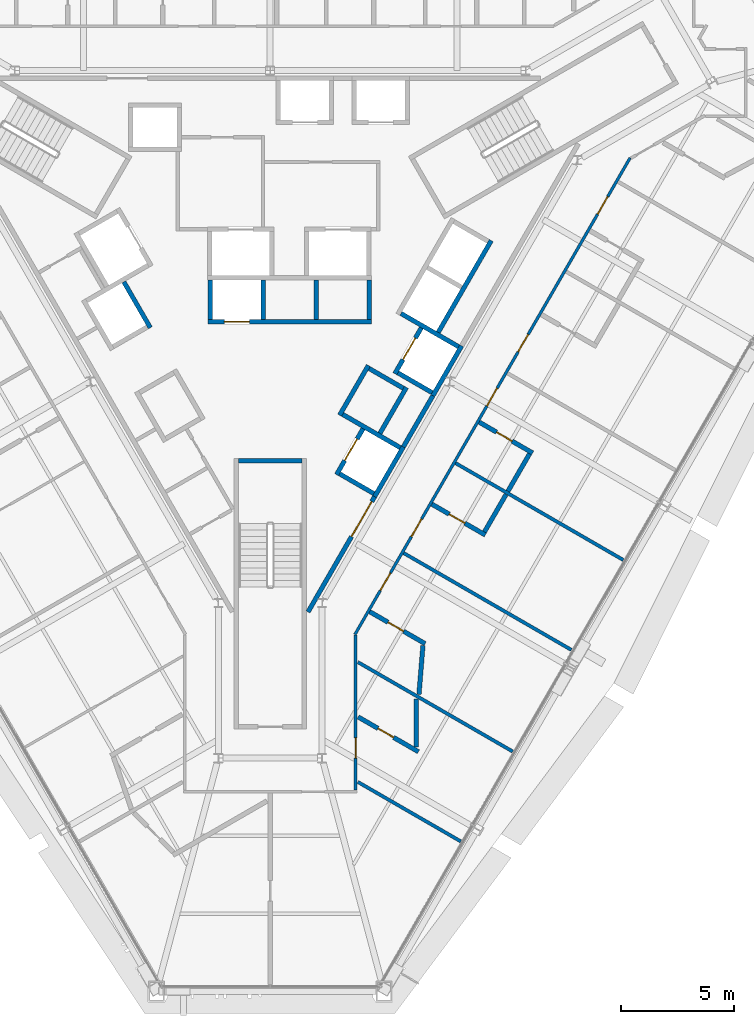
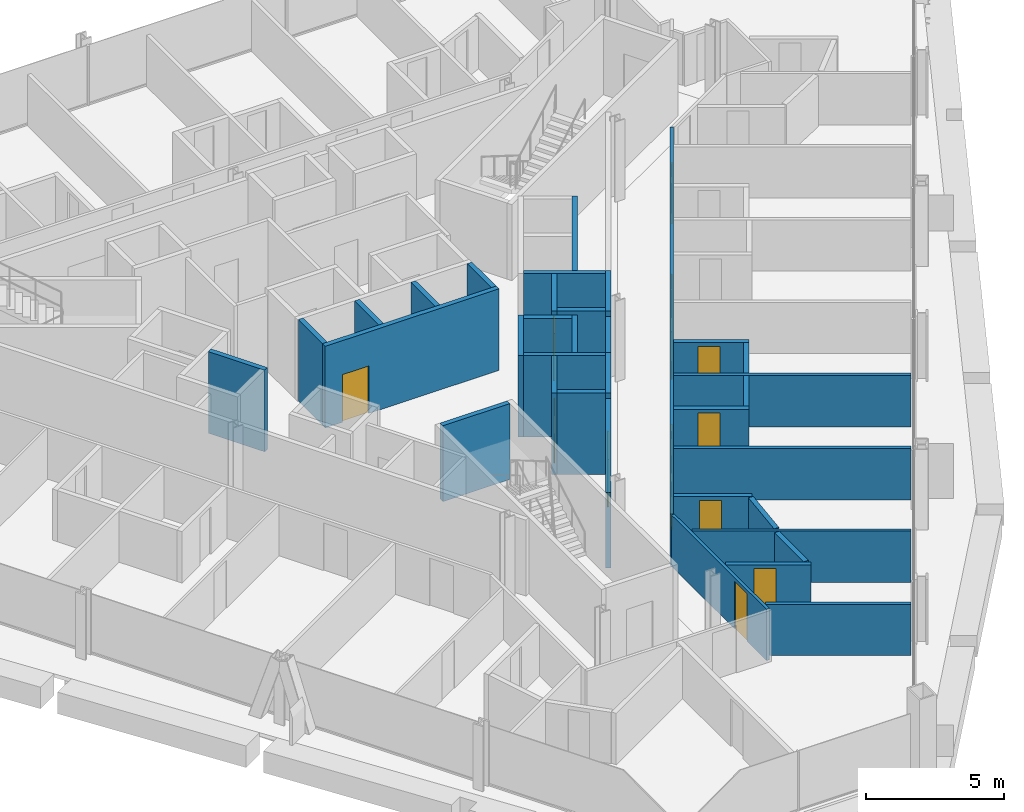
# One storey, part 11 of 17: 35 walls, 14 doors, 14 openings.
"""IFC4 building model written with IfcOpenShell, lengths in metres."""

from ifc_helpers import new_model, si_unit, direction, frame, frame_2d, origin, place, context, subcontext, project, spatial, rectangle, extrude, material, layer, layer_set, type_object, element, fill, save


model = new_model("IFC4")

# Units and contexts
model_context = context("Model", 3, precision=1e-05, world=origin(), true_north=direction((0.0, 1.0)))
body_context = subcontext(model_context, "Body", "Model", "MODEL_VIEW")
ifc_project = project(units=[si_unit("LENGTHUNIT", "METRE"), si_unit("AREAUNIT", "SQUARE_METRE"), si_unit("VOLUMEUNIT", "CUBIC_METRE"), si_unit("PLANEANGLEUNIT", "RADIAN"), si_unit("MASSUNIT", "GRAM", prefix="KILO")], contexts=[model_context])

# Site, building, storey
site_placement = place(None, origin())
site = spatial("IfcSite", under=ifc_project, at=site_placement, CompositionType="ELEMENT")
building_placement = place(site_placement, origin())
building = spatial("IfcBuilding", under=site, at=building_placement, Name="Verrane Prism Tower", CompositionType="ELEMENT")
storey_placement = place(building_placement, frame((0.0, 0.0, 139.60009765625)))
storey = spatial("IfcBuildingStorey", under=building, at=storey_placement, Name="L34", CompositionType="ELEMENT", Elevation=139.60009765625)

# Wall, opening, door
ifc_material_1 = material(Name="Gypsum board partition", Category="other")
ifc_layer_1 = layer(ifc_material_1, 0.199951171875)
ifc_layer_set_1 = layer_set([ifc_layer_1], Name="CW-200 core boundary wall 2 h")
wall_type_1 = type_object("IfcWallType", Name="CW-200 core boundary wall 2 h", PredefinedType="PARTITIONING", material=ifc_layer_set_1)
wall_1_placement = place(storey_placement, frame((1.677490234375, -14.814697265625, 0.0), z_axis=(0.0, 0.0, 1.0), x_axis=(0.49999445743, 0.866028603765, 0.0)))
wall_1 = element("IfcWall", 1, at=wall_1_placement, inside=storey, type_object=wall_type_1, Name="Core boundary wall CW3-010", PredefinedType="PARTITIONING", context=body_context, shape_type="SweptSolid", body=[
    extrude(rectangle(XDim=5.90478515625, YDim=0.199951171875, at=frame_2d((2.952392578125, 0.0))), origin(), (0.0, 0.0, 1.0), 3.349853515625),
])
opening_1_placement = place(wall_1_placement, frame((3.85498046875, 0.0, 0.0)))
opening_1 = element("IfcOpeningElement", 2, at=opening_1_placement, cuts=wall_1, Name="Opening D32525", PredefinedType="OPENING", context=body_context, shape_type="SweptSolid", body=[
    extrude(rectangle(XDim=1.800048828125, YDim=2.10009765625, at=frame_2d((0.89990234375, 1.050048828125))), frame((0.0, 0.10986328125, 0.0), z_axis=(0.0, -1.0, 0.0), x_axis=(1.0, 0.0, 0.0)), (0.0, 0.0, 1.0), 0.219970703125),
])
ifc_material_2 = material(Name="Timber veneered door leaf", Category="wood")
door_type_1 = type_object("IfcDoorType", Name="DR-1800x2100 FD60 double leaf lift lobby", OperationType="NOTDEFINED", PredefinedType="DOOR", material=ifc_material_2)
door_1_placement = place(opening_1_placement, origin())
door_1 = element("IfcDoor", 3, at=door_1_placement, inside=storey, type_object=door_type_1, Name="Lift lobby door D32525", OperationType="DOUBLE_DOOR_SINGLE_SWING", OverallHeight=2.10009765625, OverallWidth=1.800048828125, PredefinedType="DOOR", context=body_context, shape_type="SweptSolid", body=[
    extrude(rectangle(XDim=1.800048828125, YDim=2.10009765625, at=frame_2d((0.89990234375, 1.050048828125))), frame((0.0, 0.02490234375, 0.0), z_axis=(0.0, -1.0, 0.0), x_axis=(1.0, 0.0, 0.0)), (0.0, 0.0, 1.0), 0.050048828125),
])
fill(opening_1, door_1)

# Walls
wall_2_placement = place(storey_placement, frame((5.906005859375, -7.489990234375, 0.0), z_axis=(0.0, 0.0, 1.0), x_axis=(0.500252727967, 0.865879442048, 0.0)))
element("IfcWall", 4, at=wall_2_placement, inside=storey, type_object=wall_type_1, Name="Core boundary wall CW3-012", PredefinedType="PARTITIONING", context=body_context, shape_type="SweptSolid", body=[
    extrude(rectangle(XDim=2.616943359375, YDim=0.199951171875, at=frame_2d((1.30859375, 0.0))), origin(), (0.0, 0.0, 1.0), 3.349853515625),
])
ifc_material_3 = material(Name="Concrete C40/50", Category="concrete")
ifc_layer_2 = layer(ifc_material_3, 0.199951171875)
ifc_layer_set_2 = layer_set([ifc_layer_2], Name="CW-200 stair core wall concrete C40/50 3 h")
wall_type_2 = type_object("IfcWallType", Name="CW-200 stair core wall concrete C40/50 3 h", PredefinedType="PARTITIONING", material=ifc_layer_set_2)
wall_3_placement = place(storey_placement, frame((-1.39990234375, -8.10009765625, 0.0), z_axis=(0.0, 0.0, 1.0), x_axis=(1.0, 0.0, 0.0)))
element("IfcWall", 5, at=wall_3_placement, inside=storey, type_object=wall_type_2, Name="Stair 3 enclosure wall", PredefinedType="PARTITIONING", context=body_context, shape_type="SweptSolid", body=[
    extrude(rectangle(XDim=2.7998046875, YDim=0.199951171875, at=frame_2d((1.39990234375, 0.0))), origin(), (0.0, 0.0, 1.0), 3.349853515625),
])

# Wall, opening, door
ifc_material_4 = material(Name="Gypsum board shaft wall assembly", Category="other")
ifc_layer_3 = layer(ifc_material_4, 0.199951171875)
ifc_layer_set_3 = layer_set([ifc_layer_3], Name="HW-200 lift shaft wall 2 h")
wall_type_3 = type_object("IfcWallType", Name="HW-200 lift shaft wall 2 h", PredefinedType="PARTITIONING", material=ifc_layer_set_3)
wall_4_placement = place(storey_placement, frame((-2.7548828125, -1.949951171875, 0.0), z_axis=(0.0, 0.0, 1.0), x_axis=(1.0, 0.0, 0.0)))
wall_4 = element("IfcWall", 6, at=wall_4_placement, inside=storey, type_object=wall_type_3, Name="Lift shaft wall", PredefinedType="PARTITIONING", context=body_context, shape_type="SweptSolid", body=[
    extrude(rectangle(XDim=7.25, YDim=0.199951171875, at=frame_2d((3.625, 0.0))), origin(), (0.0, 0.0, 1.0), 3.599853515625),
])
opening_2_placement = place(wall_4_placement, frame((0.72509765625, 0.0, 0.0)))
opening_2 = element("IfcOpeningElement", 7, at=opening_2_placement, cuts=wall_4, Name="Opening D32504", PredefinedType="OPENING", context=body_context, shape_type="SweptSolid", body=[
    extrude(rectangle(XDim=1.10009765625, YDim=2.10009765625, at=frame_2d((0.550048828125, 1.050048828125))), frame((0.0, 0.10986328125, 0.0), z_axis=(0.0, -1.0, 0.0), x_axis=(1.0, 0.0, 0.0)), (0.0, 0.0, 1.0), 0.219970703125),
])
ifc_material_5 = material(Name="Stainless steel sliding landing door", Category="steel")
door_type_2 = type_object("IfcDoorType", Name="LD-1100x2100 lift landing door FD90 sliding", OperationType="NOTDEFINED", PredefinedType="DOOR", material=ifc_material_5)
door_2_placement = place(opening_2_placement, origin())
door_2 = element("IfcDoor", 8, at=door_2_placement, inside=storey, type_object=door_type_2, Name="Bank A lift 2 landing door", OperationType="SLIDING_TO_RIGHT", OverallHeight=2.10009765625, OverallWidth=1.10009765625, PredefinedType="DOOR", context=body_context, shape_type="SweptSolid", body=[
    extrude(rectangle(XDim=1.10009765625, YDim=2.10009765625, at=frame_2d((0.550048828125, 1.050048828125))), frame((0.0, 0.02490234375, 0.0), z_axis=(0.0, -1.0, 0.0), x_axis=(1.0, 0.0, 0.0)), (0.0, 0.0, 1.0), 0.050048828125),
])
fill(opening_2, door_2)

# Walls
wall_5_placement = place(storey_placement, frame((4.63037109375, -9.69970703125, 0.0), z_axis=(0.0, 0.0, 1.0), x_axis=(0.500062241894, 0.865989465428, 0.0)))
element("IfcWall", 9, at=wall_5_placement, inside=storey, type_object=wall_type_3, Name="Lift shaft wall", PredefinedType="PARTITIONING", context=body_context, shape_type="SweptSolid", body=[
    extrude(rectangle(XDim=2.550048828125, YDim=0.199951171875, at=frame_2d((1.27490234375, 0.0))), origin(), (0.0, 0.0, 1.0), 3.599853515625),
])
wall_6_placement = place(storey_placement, frame((7.215576171875, -5.222412109375, 0.0), z_axis=(0.0, 0.0, 1.0), x_axis=(0.499990435942, 0.866030925526, 0.0)))
element("IfcWall", 10, at=wall_6_placement, inside=storey, type_object=wall_type_3, Name="Lift shaft wall", PredefinedType="PARTITIONING", context=body_context, shape_type="SweptSolid", body=[
    extrude(rectangle(XDim=2.5498046875, YDim=0.199951171875, at=frame_2d((1.27490234375, 0.0))), origin(), (0.0, 0.0, 1.0), 3.599853515625),
])
wall_7_placement = place(storey_placement, frame((4.8662109375, -6.891357421875, 0.0), z_axis=(0.0, 0.0, 1.0), x_axis=(0.500016218704, 0.866016039709, 0.0)))
element("IfcWall", 11, at=wall_7_placement, inside=storey, type_object=wall_type_3, Name="Lift shaft wall", PredefinedType="PARTITIONING", context=body_context, shape_type="SweptSolid", body=[
    extrude(rectangle(XDim=2.35009765625, YDim=0.199951171875, at=frame_2d((1.175048828125, 0.0))), origin(), (0.0, 0.0, 1.0), 3.599853515625),
])
wall_8_placement = place(storey_placement, frame((7.451171875, -2.4140625, 0.0), z_axis=(0.0, 0.0, 1.0), x_axis=(0.500016218704, 0.866016039709, 0.0)))
element("IfcWall", 12, at=wall_8_placement, inside=storey, type_object=wall_type_3, Name="Lift shaft wall", PredefinedType="PARTITIONING", context=body_context, shape_type="SweptSolid", body=[
    extrude(rectangle(XDim=4.699951171875, YDim=0.199951171875, at=frame_2d((2.35009765625, 0.0))), origin(), (0.0, 0.0, 1.0), 3.599853515625),
])

# Wall, opening, door
wall_9_placement = place(storey_placement, frame((2.941650390625, -8.724853515625, 0.0), z_axis=(0.0, 0.0, 1.0), x_axis=(0.500016218704, 0.866016039709, 0.0)))
wall_9 = element("IfcWall", 13, at=wall_9_placement, inside=storey, type_object=wall_type_3, Name="Lift shaft wall", PredefinedType="PARTITIONING", context=body_context, shape_type="SweptSolid", body=[
    extrude(rectangle(XDim=2.35009765625, YDim=0.199951171875, at=frame_2d((1.175048828125, 0.0))), origin(), (0.0, 0.0, 1.0), 3.599853515625),
])
opening_3_placement = place(wall_9_placement, frame((0.72509765625, 0.0, 0.0)))
opening_3 = element("IfcOpeningElement", 14, at=opening_3_placement, cuts=wall_9, Name="Opening D32506", PredefinedType="OPENING", context=body_context, shape_type="SweptSolid", body=[
    extrude(rectangle(XDim=1.10009765625, YDim=2.10009765625, at=frame_2d((0.550048828125, 1.050048828125))), frame((0.0, 0.10986328125, 0.0), z_axis=(0.0, -1.0, 0.0), x_axis=(1.0, 0.0, 0.0)), (0.0, 0.0, 1.0), 0.219970703125),
])
door_3_placement = place(opening_3_placement, origin())
door_3 = element("IfcDoor", 15, at=door_3_placement, inside=storey, type_object=door_type_2, Name="Bank A lift 4 landing door", OperationType="SLIDING_TO_RIGHT", OverallHeight=2.10009765625, OverallWidth=1.10009765625, PredefinedType="DOOR", context=body_context, shape_type="SweptSolid", body=[
    extrude(rectangle(XDim=1.10009765625, YDim=2.10009765625, at=frame_2d((0.550048828125, 1.050048828125))), frame((0.0, 0.02490234375, 0.0), z_axis=(0.0, -1.0, 0.0), x_axis=(1.0, 0.0, 0.0)), (0.0, 0.0, 1.0), 0.050048828125),
])
fill(opening_3, door_3)

wall_10_placement = place(storey_placement, frame((5.52685546875, -4.247314453125, 0.0), z_axis=(0.0, 0.0, 1.0), x_axis=(0.499938297808, 0.866061024631, 0.0)))
wall_10 = element("IfcWall", 16, at=wall_10_placement, inside=storey, type_object=wall_type_3, Name="Lift shaft wall", PredefinedType="PARTITIONING", context=body_context, shape_type="SweptSolid", body=[
    extrude(rectangle(XDim=2.349853515625, YDim=0.199951171875, at=frame_2d((1.1748046875, 0.0))), origin(), (0.0, 0.0, 1.0), 3.599853515625),
])
opening_4_placement = place(wall_10_placement, frame((0.72509765625, 0.0, 0.0)))
opening_4 = element("IfcOpeningElement", 17, at=opening_4_placement, cuts=wall_10, Name="Opening D32507", PredefinedType="OPENING", context=body_context, shape_type="SweptSolid", body=[
    extrude(rectangle(XDim=1.10009765625, YDim=2.10009765625, at=frame_2d((0.550048828125, 1.050048828125))), frame((0.0, 0.10986328125, 0.0), z_axis=(0.0, -1.0, 0.0), x_axis=(1.0, 0.0, 0.0)), (0.0, 0.0, 1.0), 0.219970703125),
])
door_4_placement = place(opening_4_placement, origin())
door_4 = element("IfcDoor", 18, at=door_4_placement, inside=storey, type_object=door_type_2, Name="Bank A lift 5 landing door", OperationType="SLIDING_TO_LEFT", OverallHeight=2.10009765625, OverallWidth=1.10009765625, PredefinedType="DOOR", context=body_context, shape_type="SweptSolid", body=[
    extrude(rectangle(XDim=1.10009765625, YDim=2.10009765625, at=frame_2d((0.550048828125, 1.050048828125))), frame((0.0, 0.02490234375, 0.0), z_axis=(0.0, -1.0, 0.0), x_axis=(1.0, 0.0, 0.0)), (0.0, 0.0, 1.0), 0.050048828125),
])
fill(opening_4, door_4)

# Walls
wall_11_placement = place(storey_placement, frame((3.077392578125, -6.089599609375, 0.0), z_axis=(0.0, 0.0, 1.0), x_axis=(0.500062241894, 0.865989465428, 0.0)))
element("IfcWall", 19, at=wall_11_placement, inside=storey, type_object=wall_type_3, Name="Lift shaft wall", PredefinedType="PARTITIONING", context=body_context, shape_type="SweptSolid", body=[
    extrude(rectangle(XDim=2.550048828125, YDim=0.199951171875, at=frame_2d((1.27490234375, 0.0))), origin(), (0.0, 0.0, 1.0), 3.599853515625),
])
for number, where, z_axis, x_axis, name in (
    (20, (4.39501953125, -1.85009765625, 0.0), (0.0, 0.0, 1.0), (0.0, 1.0, 0.0), "Lift shaft wall"),
    (21, (2.044921875, -1.85009765625, 0.0), (0.0, 0.0, 1.0), (0.0, 1.0, 0.0), "Lift shaft wall"),
    (22, (-0.304931640625, -1.85009765625, 0.0), (0.0, 0.0, 1.0), (0.0, 1.0, 0.0), "Lift shaft wall"),
    (23, (-2.655029296875, -1.85009765625, 0.0), (0.0, 0.0, 1.0), (0.0, 1.0, 0.0), "Lift shaft wall"),
):
    element("IfcWall", number, at=place(storey_placement, frame(where, z_axis=z_axis, x_axis=x_axis)), inside=storey, type_object=wall_type_3, Name=name, PredefinedType="PARTITIONING", context=body_context, shape_type="SweptSolid", body=[
        extrude(rectangle(XDim=1.75, YDim=0.199951171875, at=frame_2d((0.875, 0.0))), origin(), (0.0, 0.0, 1.0), 3.599853515625),
    ])
wall_12_placement = place(storey_placement, frame((-5.317626953125, -2.209716796875, 0.0), z_axis=(0.0, 0.0, 1.0), x_axis=(-0.499938297808, 0.866061024631, 0.0)))
element("IfcWall", 24, at=wall_12_placement, inside=storey, type_object=wall_type_3, Name="Lift shaft wall", PredefinedType="PARTITIONING", context=body_context, shape_type="SweptSolid", body=[
    extrude(rectangle(XDim=2.349853515625, YDim=0.199951171875, at=frame_2d((1.1748046875, 0.0))), origin(), (0.0, 0.0, 1.0), 3.599853515625),
])
wall_13_placement = place(storey_placement, frame((8.35400390625, -3.050537109375, 0.0), z_axis=(0.0, 0.0, 1.0), x_axis=(-0.866060182126, 0.499939757307, 0.0)))
element("IfcWall", 25, at=wall_13_placement, inside=storey, type_object=wall_type_3, Name="Lift shaft wall", PredefinedType="PARTITIONING", context=body_context, shape_type="SweptSolid", body=[
    extrude(rectangle(XDim=2.949951171875, YDim=0.199951171875, at=frame_2d((1.47509765625, 0.0))), origin(), (0.0, 0.0, 1.0), 3.599853515625),
])
wall_14_placement = place(storey_placement, frame((7.178955078125, -5.085693359375, 0.0), z_axis=(0.0, 0.0, 1.0), x_axis=(-0.866036909293, 0.499980071345, 0.0)))
element("IfcWall", 26, at=wall_14_placement, inside=storey, type_object=wall_type_3, Name="Lift shaft wall", PredefinedType="PARTITIONING", context=body_context, shape_type="SweptSolid", body=[
    extrude(rectangle(XDim=1.75, YDim=0.199951171875, at=frame_2d((0.875, 0.0))), origin(), (0.0, 0.0, 1.0), 3.599853515625),
])
wall_15_placement = place(storey_placement, frame((5.904541015625, -4.892822265625, 0.0), z_axis=(0.0, 0.0, 1.0), x_axis=(-0.866002029911, 0.500040482552, 0.0)))
element("IfcWall", 27, at=wall_15_placement, inside=storey, type_object=wall_type_3, Name="Lift shaft wall", PredefinedType="PARTITIONING", context=body_context, shape_type="SweptSolid", body=[
    extrude(rectangle(XDim=1.749755859375, YDim=0.199951171875, at=frame_2d((0.875, 0.0))), origin(), (0.0, 0.0, 1.0), 3.599853515625),
])
wall_16_placement = place(storey_placement, frame((5.768798828125, -7.528076171875, 0.0), z_axis=(0.0, 0.0, 1.0), x_axis=(-0.866003658127, 0.500037662692, 0.0)))
element("IfcWall", 28, at=wall_16_placement, inside=storey, type_object=wall_type_3, Name="Lift shaft wall", PredefinedType="PARTITIONING", context=body_context, shape_type="SweptSolid", body=[
    extrude(rectangle(XDim=2.949951171875, YDim=0.199951171875, at=frame_2d((1.47509765625, 0.0))), origin(), (0.0, 0.0, 1.0), 3.599853515625),
])
wall_17_placement = place(storey_placement, frame((4.593994140625, -9.563232421875, 0.0), z_axis=(0.0, 0.0, 1.0), x_axis=(-0.866036909293, 0.499980071345, 0.0)))
element("IfcWall", 29, at=wall_17_placement, inside=storey, type_object=wall_type_3, Name="Lift shaft wall", PredefinedType="PARTITIONING", context=body_context, shape_type="SweptSolid", body=[
    extrude(rectangle(XDim=1.75, YDim=0.199951171875, at=frame_2d((0.875, 0.0))), origin(), (0.0, 0.0, 1.0), 3.599853515625),
])

# Wall, opening, door
ifc_material_6 = material(Name="Gypsum board partition", Category="other")
ifc_layer_4 = layer(ifc_material_6, 0.125)
ifc_layer_set_4 = layer_set([ifc_layer_4], Name="PW-125 corridor wall 1 h")
wall_type_4 = type_object("IfcWallType", Name="PW-125 corridor wall 1 h", PredefinedType="PARTITIONING", material=ifc_layer_set_4)
wall_18_placement = place(storey_placement, frame((3.787109375, -15.846923828125, 0.0), z_axis=(0.0, 0.0, 1.0), x_axis=(0.0, -1.0, 0.0)))
wall_18 = element("IfcWall", 30, at=wall_18_placement, inside=storey, type_object=wall_type_4, Name="Corridor wall 052", PredefinedType="PARTITIONING", context=body_context, shape_type="SweptSolid", body=[
    extrude(rectangle(XDim=6.875, YDim=0.125, at=frame_2d((3.4375, 0.0))), origin(), (0.0, 0.0, 1.0), 2.261962890625),
])
opening_5_placement = place(wall_18_placement, frame((4.551025390625, 0.0, 0.0)))
opening_5 = element("IfcOpeningElement", 31, at=opening_5_placement, cuts=wall_18, Name="Opening D32001", PredefinedType="OPENING", context=body_context, shape_type="SweptSolid", body=[
    extrude(rectangle(XDim=0.89990234375, YDim=2.10009765625, at=frame_2d((0.449951171875, 1.050048828125))), frame((0.0, 0.072509765625, 0.0), z_axis=(0.0, -1.0, 0.0), x_axis=(1.0, 0.0, 0.0)), (0.0, 0.0, 1.0), 0.14501953125),
])
ifc_material_7 = material(Name="Timber veneered door leaf", Category="wood")
door_type_3 = type_object("IfcDoorType", Name="DR-900x2100 FD20 single leaf unit", OperationType="NOTDEFINED", PredefinedType="DOOR", material=ifc_material_7)
door_5_placement = place(opening_5_placement, origin())
door_5 = element("IfcDoor", 32, at=door_5_placement, inside=storey, type_object=door_type_3, Name="Guest Room door", OperationType="SINGLE_SWING_RIGHT", OverallHeight=2.10009765625, OverallWidth=0.89990234375, PredefinedType="DOOR", context=body_context, shape_type="SweptSolid", body=[
    extrude(rectangle(XDim=0.89990234375, YDim=2.10009765625, at=frame_2d((0.449951171875, 1.050048828125))), frame((0.0, 0.02490234375, 0.0), z_axis=(0.0, -1.0, 0.0), x_axis=(1.0, 0.0, 0.0)), (0.0, 0.0, 1.0), 0.050048828125),
])
fill(opening_5, door_5)

# Wall, openings, doors
wall_19_placement = place(storey_placement, frame((15.962158203125, 5.326171875, 0.0), z_axis=(0.0, 0.0, 1.0), x_axis=(-0.499992829944, -0.866029543379, 0.0)))
wall_19 = element("IfcWall", 33, at=wall_19_placement, inside=storey, type_object=wall_type_4, Name="Corridor wall 056", PredefinedType="PARTITIONING", context=body_context, shape_type="SweptSolid", body=[
    extrude(rectangle(XDim=24.412841796875, YDim=0.125, at=frame_2d((12.20654296875, 0.0))), origin(), (0.0, 0.0, 1.0), 2.261962890625),
])
opening_6_placement = place(wall_19_placement, frame((21.257568359375, 0.0, 0.0)))
opening_6 = element("IfcOpeningElement", 34, at=opening_6_placement, cuts=wall_19, Name="Opening D32003", PredefinedType="OPENING", context=body_context, shape_type="SweptSolid", body=[
    extrude(rectangle(XDim=0.89990234375, YDim=2.10009765625, at=frame_2d((0.449951171875, 1.050048828125))), frame((0.0, 0.072509765625, 0.0), z_axis=(0.0, -1.0, 0.0), x_axis=(1.0, 0.0, 0.0)), (0.0, 0.0, 1.0), 0.14501953125),
])
opening_7_placement = place(wall_19_placement, frame((18.50244140625, 0.0, 0.0)))
opening_7 = element("IfcOpeningElement", 35, at=opening_7_placement, cuts=wall_19, Name="Opening D32005", PredefinedType="OPENING", context=body_context, shape_type="SweptSolid", body=[
    extrude(rectangle(XDim=0.89990234375, YDim=2.10009765625, at=frame_2d((0.449951171875, 1.050048828125))), frame((0.0, 0.072509765625, 0.0), z_axis=(0.0, -1.0, 0.0), x_axis=(1.0, 0.0, 0.0)), (0.0, 0.0, 1.0), 0.14501953125),
])
opening_8_placement = place(wall_19_placement, frame((11.798583984375, 0.0, 0.0)))
opening_8 = element("IfcOpeningElement", 36, at=opening_8_placement, cuts=wall_19, Name="Opening D32007", PredefinedType="OPENING", context=body_context, shape_type="SweptSolid", body=[
    extrude(rectangle(XDim=0.89990234375, YDim=2.10009765625, at=frame_2d((0.449951171875, 1.050048828125))), frame((0.0, 0.072509765625, 0.0), z_axis=(0.0, -1.0, 0.0), x_axis=(1.0, 0.0, 0.0)), (0.0, 0.0, 1.0), 0.14501953125),
])
opening_9_placement = place(wall_19_placement, frame((9.04345703125, 0.0, 0.0)))
opening_9 = element("IfcOpeningElement", 37, at=opening_9_placement, cuts=wall_19, Name="Opening D32009", PredefinedType="OPENING", context=body_context, shape_type="SweptSolid", body=[
    extrude(rectangle(XDim=0.89990234375, YDim=2.10009765625, at=frame_2d((0.449951171875, 1.050048828125))), frame((0.0, 0.072509765625, 0.0), z_axis=(0.0, -1.0, 0.0), x_axis=(1.0, 0.0, 0.0)), (0.0, 0.0, 1.0), 0.14501953125),
])
opening_10_placement = place(wall_19_placement, frame((1.989501953125, 0.0, 0.0)))
opening_10 = element("IfcOpeningElement", 38, at=opening_10_placement, cuts=wall_19, Name="Opening D32011", PredefinedType="OPENING", context=body_context, shape_type="SweptSolid", body=[
    extrude(rectangle(XDim=0.89990234375, YDim=2.10009765625, at=frame_2d((0.449951171875, 1.050048828125))), frame((0.0, 0.072509765625, 0.0), z_axis=(0.0, -1.0, 0.0), x_axis=(1.0, 0.0, 0.0)), (0.0, 0.0, 1.0), 0.14501953125),
])
door_6_placement = place(opening_6_placement, origin())
door_6 = element("IfcDoor", 39, at=door_6_placement, inside=storey, type_object=door_type_3, Name="Guest Room door", OperationType="SINGLE_SWING_RIGHT", OverallHeight=2.10009765625, OverallWidth=0.89990234375, PredefinedType="DOOR", context=body_context, shape_type="SweptSolid", body=[
    extrude(rectangle(XDim=0.89990234375, YDim=2.10009765625, at=frame_2d((0.449951171875, 1.050048828125))), frame((0.0, 0.02490234375, 0.0), z_axis=(0.0, -1.0, 0.0), x_axis=(1.0, 0.0, 0.0)), (0.0, 0.0, 1.0), 0.050048828125),
])
fill(opening_6, door_6)
door_7_placement = place(opening_7_placement, origin())
door_7 = element("IfcDoor", 40, at=door_7_placement, inside=storey, type_object=door_type_3, Name="Guest Room door", OperationType="SINGLE_SWING_RIGHT", OverallHeight=2.10009765625, OverallWidth=0.89990234375, PredefinedType="DOOR", context=body_context, shape_type="SweptSolid", body=[
    extrude(rectangle(XDim=0.89990234375, YDim=2.10009765625, at=frame_2d((0.449951171875, 1.050048828125))), frame((0.0, 0.02490234375, 0.0), z_axis=(0.0, -1.0, 0.0), x_axis=(1.0, 0.0, 0.0)), (0.0, 0.0, 1.0), 0.050048828125),
])
fill(opening_7, door_7)
door_8_placement = place(opening_8_placement, origin())
door_8 = element("IfcDoor", 41, at=door_8_placement, inside=storey, type_object=door_type_3, Name="Guest Room door", OperationType="SINGLE_SWING_RIGHT", OverallHeight=2.10009765625, OverallWidth=0.89990234375, PredefinedType="DOOR", context=body_context, shape_type="SweptSolid", body=[
    extrude(rectangle(XDim=0.89990234375, YDim=2.10009765625, at=frame_2d((0.449951171875, 1.050048828125))), frame((0.0, 0.02490234375, 0.0), z_axis=(0.0, -1.0, 0.0), x_axis=(1.0, 0.0, 0.0)), (0.0, 0.0, 1.0), 0.050048828125),
])
fill(opening_8, door_8)
door_9_placement = place(opening_9_placement, origin())
door_9 = element("IfcDoor", 42, at=door_9_placement, inside=storey, type_object=door_type_3, Name="Guest Room door", OperationType="SINGLE_SWING_RIGHT", OverallHeight=2.10009765625, OverallWidth=0.89990234375, PredefinedType="DOOR", context=body_context, shape_type="SweptSolid", body=[
    extrude(rectangle(XDim=0.89990234375, YDim=2.10009765625, at=frame_2d((0.449951171875, 1.050048828125))), frame((0.0, 0.02490234375, 0.0), z_axis=(0.0, -1.0, 0.0), x_axis=(1.0, 0.0, 0.0)), (0.0, 0.0, 1.0), 0.050048828125),
])
fill(opening_9, door_9)
door_10_placement = place(opening_10_placement, origin())
door_10 = element("IfcDoor", 43, at=door_10_placement, inside=storey, type_object=door_type_3, Name="Guest Room door", OperationType="SINGLE_SWING_RIGHT", OverallHeight=2.10009765625, OverallWidth=0.89990234375, PredefinedType="DOOR", context=body_context, shape_type="SweptSolid", body=[
    extrude(rectangle(XDim=0.89990234375, YDim=2.10009765625, at=frame_2d((0.449951171875, 1.050048828125))), frame((0.0, 0.02490234375, 0.0), z_axis=(0.0, -1.0, 0.0), x_axis=(1.0, 0.0, 0.0)), (0.0, 0.0, 1.0), 0.050048828125),
])
fill(opening_10, door_10)

# Walls
ifc_material_8 = material(Name="Gypsum board partition", Category="other")
ifc_layer_5 = layer(ifc_material_8, 0.14990234375)
ifc_layer_set_5 = layer_set([ifc_layer_5], Name="PW-150 demising wall 1 h")
wall_type_5 = type_object("IfcWallType", Name="PW-150 demising wall 1 h", PredefinedType="PARTITIONING", material=ifc_layer_set_5)
wall_20_placement = place(storey_placement, frame((3.886962890625, -22.355712890625, 0.0), z_axis=(0.0, 0.0, 1.0), x_axis=(0.866039804031, -0.499975057213, 0.0)))
element("IfcWall", 44, at=wall_20_placement, inside=storey, type_object=wall_type_5, Name="Demising wall 053", PredefinedType="PARTITIONING", context=body_context, shape_type="SweptSolid", body=[
    extrude(rectangle(XDim=5.270751953125, YDim=0.14990234375, at=frame_2d((2.63525390625, 0.0))), origin(), (0.0, 0.0, 1.0), 2.261962890625),
])
wall_21_placement = place(storey_placement, frame((3.886962890625, -17.039794921875, 0.0), z_axis=(0.0, 0.0, 1.0), x_axis=(0.866046118416, -0.499964119488, 0.0)))
element("IfcWall", 45, at=wall_21_placement, inside=storey, type_object=wall_type_5, Name="Demising wall 055", PredefinedType="PARTITIONING", context=body_context, shape_type="SweptSolid", body=[
    extrude(rectangle(XDim=7.9287109375, YDim=0.14990234375, at=frame_2d((3.96435546875, 0.0))), origin(), (0.0, 0.0, 1.0), 2.261962890625),
])
wall_22_placement = place(storey_placement, frame((5.916015625, -12.201171875, 0.0), z_axis=(0.0, 0.0, 1.0), x_axis=(0.865995804368, -0.50005126419, 0.0)))
element("IfcWall", 46, at=wall_22_placement, inside=storey, type_object=wall_type_5, Name="Demising wall 059", PredefinedType="PARTITIONING", context=body_context, shape_type="SweptSolid", body=[
    extrude(rectangle(XDim=8.5908203125, YDim=0.14990234375, at=frame_2d((4.29541015625, 0.0))), origin(), (0.0, 0.0, 1.0), 2.261962890625),
])
wall_23_placement = place(storey_placement, frame((8.218017578125, -8.213134765625, 0.0), z_axis=(0.0, 0.0, 1.0), x_axis=(0.865997709989, -0.500047963993, 0.0)))
element("IfcWall", 47, at=wall_23_placement, inside=storey, type_object=wall_type_5, Name="Demising wall 064", PredefinedType="PARTITIONING", context=body_context, shape_type="SweptSolid", body=[
    extrude(rectangle(XDim=8.591552734375, YDim=0.14990234375, at=frame_2d((4.2958984375, 0.0))), origin(), (0.0, 0.0, 1.0), 2.261962890625),
])

# Wall, opening, door
ifc_material_9 = material(Name="Gypsum board partition", Category="other")
ifc_layer_6 = layer(ifc_material_9, 0.199951171875)
ifc_layer_set_6 = layer_set([ifc_layer_6], Name="PW-200 plumbing wall")
wall_type_6 = type_object("IfcWallType", Name="PW-200 plumbing wall", PredefinedType="PARTITIONING", material=ifc_layer_set_6)
wall_24_placement = place(storey_placement, frame((3.8994140625, -19.470947265625, 0.0), z_axis=(0.0, 0.0, 1.0), x_axis=(0.866015731669, -0.500016752221, 0.0)))
wall_24 = element("IfcWall", 48, at=wall_24_placement, inside=storey, type_object=wall_type_6, Name="Plumbing wall 054", PredefinedType="PARTITIONING", context=body_context, shape_type="SweptSolid", body=[
    extrude(rectangle(XDim=3.087890625, YDim=0.199951171875, at=frame_2d((1.5439453125, 0.0))), origin(), (0.0, 0.0, 1.0), 2.261962890625),
])
opening_11_placement = place(wall_24_placement, frame((1.02001953125, 0.0, 0.0)))
opening_11 = element("IfcOpeningElement", 49, at=opening_11_placement, cuts=wall_24, Name="Opening D32002", PredefinedType="OPENING", context=body_context, shape_type="SweptSolid", body=[
    extrude(rectangle(XDim=0.800048828125, YDim=2.10009765625, at=frame_2d((0.39990234375, 1.050048828125))), frame((0.0, 0.10986328125, 0.0), z_axis=(0.0, -1.0, 0.0), x_axis=(1.0, 0.0, 0.0)), (0.0, 0.0, 1.0), 0.219970703125),
])
ifc_material_10 = material(Name="Timber veneered door leaf", Category="wood")
door_type_4 = type_object("IfcDoorType", Name="DR-800x2100 single leaf bath", OperationType="NOTDEFINED", PredefinedType="DOOR", material=ifc_material_10)
door_11_placement = place(opening_11_placement, origin())
door_11 = element("IfcDoor", 50, at=door_11_placement, inside=storey, type_object=door_type_4, Name="En-Suite door", OperationType="SINGLE_SWING_RIGHT", OverallHeight=2.10009765625, OverallWidth=0.800048828125, PredefinedType="DOOR", context=body_context, shape_type="SweptSolid", body=[
    extrude(rectangle(XDim=0.800048828125, YDim=2.10009765625, at=frame_2d((0.39990234375, 1.050048828125))), frame((0.0, 0.02490234375, 0.0), z_axis=(0.0, -1.0, 0.0), x_axis=(1.0, 0.0, 0.0)), (0.0, 0.0, 1.0), 0.050048828125),
])
fill(opening_11, door_11)

wall_25_placement = place(storey_placement, frame((6.87060546875, -16.221923828125, 0.0), z_axis=(0.0, 0.0, 1.0), x_axis=(-0.866048046904, 0.499960778915, 0.0)))
wall_25 = element("IfcWall", 51, at=wall_25_placement, inside=storey, type_object=wall_type_6, Name="Plumbing wall 057", PredefinedType="PARTITIONING", context=body_context, shape_type="SweptSolid", body=[
    extrude(rectangle(XDim=2.837646484375, YDim=0.199951171875, at=frame_2d((1.4189453125, 0.0))), origin(), (0.0, 0.0, 1.0), 2.261962890625),
])
opening_12_placement = place(wall_25_placement, frame((1.10009765625, 0.0, 0.0)))
opening_12 = element("IfcOpeningElement", 52, at=opening_12_placement, cuts=wall_25, Name="Opening D32004", PredefinedType="OPENING", context=body_context, shape_type="SweptSolid", body=[
    extrude(rectangle(XDim=0.800048828125, YDim=2.10009765625, at=frame_2d((0.39990234375, 1.050048828125))), frame((0.0, 0.10986328125, 0.0), z_axis=(0.0, -1.0, 0.0), x_axis=(1.0, 0.0, 0.0)), (0.0, 0.0, 1.0), 0.219970703125),
])
door_12_placement = place(opening_12_placement, origin())
door_12 = element("IfcDoor", 53, at=door_12_placement, inside=storey, type_object=door_type_4, Name="En-Suite door", OperationType="SINGLE_SWING_LEFT", OverallHeight=2.10009765625, OverallWidth=0.800048828125, PredefinedType="DOOR", context=body_context, shape_type="SweptSolid", body=[
    extrude(rectangle(XDim=0.800048828125, YDim=2.10009765625, at=frame_2d((0.39990234375, 1.050048828125))), frame((0.0, 0.02490234375, 0.0), z_axis=(0.0, -1.0, 0.0), x_axis=(1.0, 0.0, 0.0)), (0.0, 0.0, 1.0), 0.050048828125),
])
fill(opening_12, door_12)

# Walls
wall_26_placement = place(storey_placement, frame((6.487060546875, -20.794921875, 0.0), z_axis=(0.0, 0.0, 1.0), x_axis=(0.0, 1.0, 0.0)))
element("IfcWall", 54, at=wall_26_placement, inside=storey, type_object=wall_type_6, Name="Plumbing wall 060", PredefinedType="PARTITIONING", context=body_context, shape_type="SweptSolid", body=[
    extrude(rectangle(XDim=2.110595703125, YDim=0.199951171875, at=frame_2d((1.05517578125, 0.0))), origin(), (0.0, 0.0, 1.0), 2.261962890625),
])
wall_27_placement = place(storey_placement, frame((6.59765625, -18.468017578125, 0.0), z_axis=(0.0, 0.0, 1.0), x_axis=(0.080948878916, 0.996718254575, 0.0)))
element("IfcWall", 55, at=wall_27_placement, inside=storey, type_object=wall_type_6, Name="Plumbing wall 061", PredefinedType="PARTITIONING", context=body_context, shape_type="SweptSolid", body=[
    extrude(rectangle(XDim=2.16845703125, YDim=0.199951171875, at=frame_2d((1.084228515625, 0.0))), origin(), (0.0, 0.0, 1.0), 2.261962890625),
])

# Wall, opening, door
wall_28_placement = place(storey_placement, frame((7.168212890625, -10.0322265625, 0.0), z_axis=(0.0, 0.0, 1.0), x_axis=(0.86596722502, -0.50010075504, 0.0)))
wall_28 = element("IfcWall", 56, at=wall_28_placement, inside=storey, type_object=wall_type_6, Name="Plumbing wall 063", PredefinedType="PARTITIONING", context=body_context, shape_type="SweptSolid", body=[
    extrude(rectangle(XDim=2.7373046875, YDim=0.199951171875, at=frame_2d((1.36865234375, 0.0))), origin(), (0.0, 0.0, 1.0), 2.261962890625),
])
opening_13_placement = place(wall_28_placement, frame((0.887451171875, 0.0, 0.0)))
opening_13 = element("IfcOpeningElement", 57, at=opening_13_placement, cuts=wall_28, Name="Opening D32006", PredefinedType="OPENING", context=body_context, shape_type="SweptSolid", body=[
    extrude(rectangle(XDim=0.800048828125, YDim=2.10009765625, at=frame_2d((0.39990234375, 1.050048828125))), frame((0.0, 0.10986328125, 0.0), z_axis=(0.0, -1.0, 0.0), x_axis=(1.0, 0.0, 0.0)), (0.0, 0.0, 1.0), 0.219970703125),
])
door_13_placement = place(opening_13_placement, origin())
door_13 = element("IfcDoor", 58, at=door_13_placement, inside=storey, type_object=door_type_4, Name="En-Suite door", OperationType="SINGLE_SWING_RIGHT", OverallHeight=2.10009765625, OverallWidth=0.800048828125, PredefinedType="DOOR", context=body_context, shape_type="SweptSolid", body=[
    extrude(rectangle(XDim=0.800048828125, YDim=2.10009765625, at=frame_2d((0.39990234375, 1.050048828125))), frame((0.0, 0.02490234375, 0.0), z_axis=(0.0, -1.0, 0.0), x_axis=(1.0, 0.0, 0.0)), (0.0, 0.0, 1.0), 0.050048828125),
])
fill(opening_13, door_13)

wall_29_placement = place(storey_placement, frame((11.638671875, -7.763916015625, 0.0), z_axis=(0.0, 0.0, 1.0), x_axis=(-0.866028150195, 0.499995243048, 0.0)))
wall_29 = element("IfcWall", 59, at=wall_29_placement, inside=storey, type_object=wall_type_6, Name="Plumbing wall 067", PredefinedType="PARTITIONING", context=body_context, shape_type="SweptSolid", body=[
    extrude(rectangle(XDim=2.7373046875, YDim=0.199951171875, at=frame_2d((1.36865234375, 0.0))), origin(), (0.0, 0.0, 1.0), 2.261962890625),
])
opening_14_placement = place(wall_29_placement, frame((1.0498046875, 0.0, 0.0)))
opening_14 = element("IfcOpeningElement", 60, at=opening_14_placement, cuts=wall_29, Name="Opening D32008", PredefinedType="OPENING", context=body_context, shape_type="SweptSolid", body=[
    extrude(rectangle(XDim=0.800048828125, YDim=2.10009765625, at=frame_2d((0.39990234375, 1.050048828125))), frame((0.0, 0.10986328125, 0.0), z_axis=(0.0, -1.0, 0.0), x_axis=(1.0, 0.0, 0.0)), (0.0, 0.0, 1.0), 0.219970703125),
])
door_14_placement = place(opening_14_placement, origin())
door_14 = element("IfcDoor", 61, at=door_14_placement, inside=storey, type_object=door_type_4, Name="En-Suite door", OperationType="SINGLE_SWING_LEFT", OverallHeight=2.10009765625, OverallWidth=0.800048828125, PredefinedType="DOOR", context=body_context, shape_type="SweptSolid", body=[
    extrude(rectangle(XDim=0.800048828125, YDim=2.10009765625, at=frame_2d((0.39990234375, 1.050048828125))), frame((0.0, 0.02490234375, 0.0), z_axis=(0.0, -1.0, 0.0), x_axis=(1.0, 0.0, 0.0)), (0.0, 0.0, 1.0), 0.050048828125),
])
fill(opening_14, door_14)

# Walls
wall_30_placement = place(storey_placement, frame((9.501953125, -11.264404296875, 0.0), z_axis=(0.0, 0.0, 1.0), x_axis=(0.499887618105, 0.86609027778, 0.0)))
element("IfcWall", 62, at=wall_30_placement, inside=storey, type_object=wall_type_6, Name="Plumbing wall 068", PredefinedType="PARTITIONING", context=body_context, shape_type="SweptSolid", body=[
    extrude(rectangle(XDim=1.91943359375, YDim=0.199951171875, at=frame_2d((0.959716796875, 0.0))), origin(), (0.0, 0.0, 1.0), 2.261962890625),
])
wall_31_placement = place(storey_placement, frame((10.54150390625, -9.463134765625, 0.0), z_axis=(0.0, 0.0, 1.0), x_axis=(0.500214044309, 0.865901789971, 0.0)))
element("IfcWall", 63, at=wall_31_placement, inside=storey, type_object=wall_type_6, Name="Plumbing wall 070", PredefinedType="PARTITIONING", context=body_context, shape_type="SweptSolid", body=[
    extrude(rectangle(XDim=1.920166015625, YDim=0.199951171875, at=frame_2d((0.9599609375, 0.0))), origin(), (0.0, 0.0, 1.0), 2.261962890625),
])

save(model, "model.ifc")
